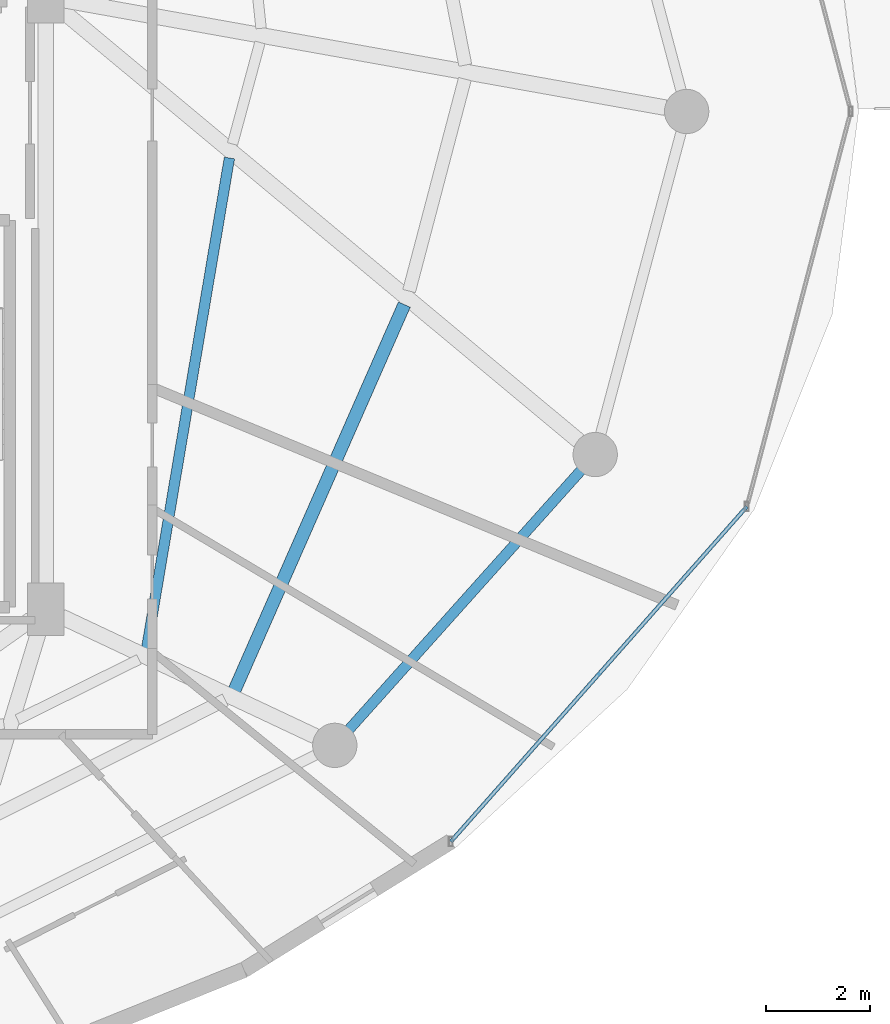
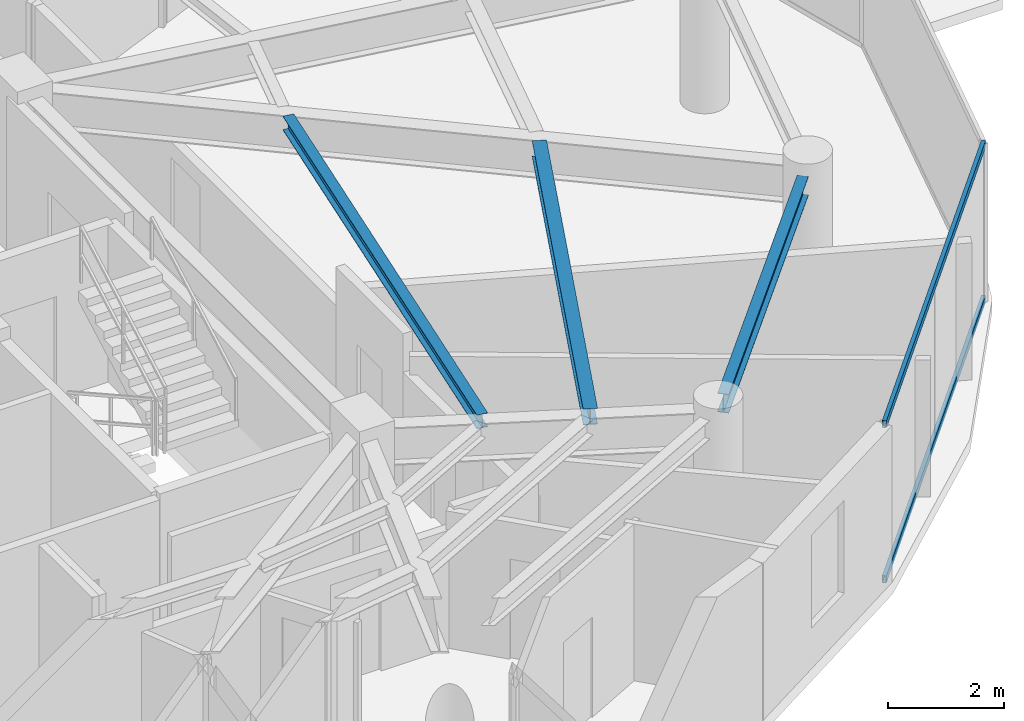
# One storey, part 13 of 31: 3 beams, 2 members, 1 element without a shape of its own.
"""IFC4 building model written with IfcOpenShell, lengths in metres."""

from ifc_helpers import new_model, si_unit, direction, frame, origin, origin_2d, place, context, subcontext, project, spatial, hollow_rectangle, i_section, extrude, material, material_profile, profile_set, type_object, element, aggregate, save


model = new_model("IFC4")

# Units and contexts
model_context = context("Model", 3, precision=1e-05, world=origin(), true_north=direction((0.0, 1.0)))
body_context = subcontext(model_context, "Body", "Model", "MODEL_VIEW")
ifc_project = project(units=[si_unit("LENGTHUNIT", "METRE"), si_unit("AREAUNIT", "SQUARE_METRE"), si_unit("VOLUMEUNIT", "CUBIC_METRE"), si_unit("PLANEANGLEUNIT", "RADIAN"), si_unit("MASSUNIT", "GRAM", prefix="KILO")], contexts=[model_context])

# Site, building, storey
site_placement = place(None, origin())
site = spatial("IfcSite", under=ifc_project, at=site_placement, CompositionType="ELEMENT")
building_placement = place(site_placement, origin())
building = spatial("IfcBuilding", under=site, at=building_placement, Name="Vorneva Point Tower", CompositionType="ELEMENT")
storey_placement = place(building_placement, frame((0.0, 0.0, 266.199951171875)))
storey = spatial("IfcBuildingStorey", under=building, at=storey_placement, Name="L72", CompositionType="ELEMENT", Elevation=266.199951171875)

# Beams
ifc_material_1 = material(Name="Steel S355", Category="steel")
ifc_material_profile_1 = material_profile(ifc_material_1, i_section(OverallWidth=0.199951171875, OverallDepth=0.291015625, WebThickness=0.008056640625, FlangeThickness=0.010986328125, at=origin_2d()), Name="30Sh1")
ifc_profile_set_1 = profile_set([ifc_material_profile_1], Name="Steel S355")
beam_type_1 = type_object("IfcBeamType", Name="BM-SEC-30Sh1", PredefinedType="BEAM", material=ifc_profile_set_1)
beam_1_placement = place(storey_placement, frame((50.686767578125, 15.68505859375, 3.14453125), z_axis=(0.166457815595, 0.986048576708, 0.0), x_axis=(-0.986048576708, 0.166457815595, 0.0)))
element("IfcBeam", 1, at=beam_1_placement, inside=storey, type_object=beam_type_1, Name="L72 Secondary Floor Beam 2.15", PredefinedType="BEAM", context=body_context, shape_type="SweptSolid", body=[
    extrude(i_section(OverallWidth=0.199951171875, OverallDepth=0.291015625, WebThickness=0.008056640625, FlangeThickness=0.010986328125, at=origin_2d()), origin(), (0.0, 0.0, 1.0), 9.555419921875),
])
ifc_material_profile_2 = material_profile(ifc_material_1, i_section(OverallWidth=0.2490234375, OverallDepth=0.333984375, WebThickness=0.008056640625, FlangeThickness=0.010986328125, at=origin_2d()), Name="35Sh1")
ifc_profile_set_2 = profile_set([ifc_material_profile_2], Name="Steel S355")
beam_type_2 = type_object("IfcBeamType", Name="BM-SEC-35Sh1", PredefinedType="BEAM", material=ifc_profile_set_2)
beam_2_placement = place(storey_placement, frame((52.37451171875, 14.896240234375, 3.123046875), z_axis=(0.40308772822, 0.915161342802, 0.0), x_axis=(-0.915161342802, 0.40308772822, 0.0)))
element("IfcBeam", 2, at=beam_2_placement, inside=storey, type_object=beam_type_2, Name="L72 Secondary Floor Beam 1.15", PredefinedType="BEAM", context=body_context, shape_type="SweptSolid", body=[
    extrude(i_section(OverallWidth=0.2490234375, OverallDepth=0.333984375, WebThickness=0.008056640625, FlangeThickness=0.010986328125, at=origin_2d()), origin(), (0.0, 0.0, 1.0), 8.08447265625),
])
ifc_material_profile_3 = material_profile(ifc_material_1, i_section(OverallWidth=0.198974609375, OverallDepth=0.39599609375, WebThickness=0.007080078125, FlangeThickness=0.010986328125, at=origin_2d()), Name="40B1")
ifc_profile_set_3 = profile_set([ifc_material_profile_3], Name="Steel S355")
beam_type_3 = type_object("IfcBeamType", Name="BM-SPN-40B1", PredefinedType="SPANDREL", material=ifc_profile_set_3)
beam_3_placement = place(storey_placement, frame((54.572265625, 14.143310546875, 3.092041015625), z_axis=(0.667108282638, 0.744960763554, 0.0), x_axis=(-0.744960763554, 0.667108282638, 0.0)))
element("IfcBeam", 3, at=beam_3_placement, inside=storey, type_object=beam_type_3, Name="L72 Perimeter Spandrel Ring Beam 15", PredefinedType="SPANDREL", context=body_context, shape_type="SweptSolid", body=[
    extrude(i_section(OverallWidth=0.198974609375, OverallDepth=0.39599609375, WebThickness=0.007080078125, FlangeThickness=0.010986328125, at=origin_2d()), origin(), (0.0, 0.0, 1.0), 6.670166015625),
])

# Curtain wall, members
ifc_material_2 = material(Name="Pale anodised aluminium", Category="aluminium")
curtain_wall_type = type_object("IfcCurtainWallType", Name="CW-RES-SYS", PredefinedType="NOTDEFINED", material=ifc_material_2)
curtain_wall_placement = place(storey_placement, origin())
curtain_wall = element("IfcCurtainWall", 4, at=curtain_wall_placement, inside=storey, type_object=curtain_wall_type, Name="L72 Unitised Curtain Wall CW-L72-R01", PredefinedType="NOTDEFINED")
ifc_material_profile_4 = material_profile(ifc_material_2, hollow_rectangle(XDim=0.074951171875, YDim=0.14990234375, WallThickness=0.00390625, at=origin_2d()), Name="AL-TRN 150x75x4")
ifc_profile_set_4 = profile_set([ifc_material_profile_4], Name="Pale anodised aluminium")
member_type = type_object("IfcMemberType", Name="CW-TRN-150", PredefinedType="USERDEFINED", material=ifc_profile_set_4)
member_1_placement = place(storey_placement, frame((56.526123046875, 11.9921875, 0.02001953125), z_axis=(0.662196681357, 0.74933007093, 0.0), x_axis=(-0.74933007093, 0.662196681357, 0.0)))
member_1 = element("IfcMember", 5, at=member_1_placement, type_object=member_type, Name="CW-L72-R01 Transom 01.1", ObjectType="TRANSOM", PredefinedType="USERDEFINED", context=body_context, shape_type="SweptSolid", body=[
    extrude(hollow_rectangle(XDim=0.074951171875, YDim=0.14990234375, WallThickness=0.00390625, at=origin_2d()), origin(), (0.0, 0.0, 1.0), 8.57666015625),
])
member_2_placement = place(storey_placement, frame((56.526123046875, 11.9921875, 3.27001953125), z_axis=(0.662196681357, 0.74933007093, 0.0), x_axis=(-0.74933007093, 0.662196681357, 0.0)))
member_2 = element("IfcMember", 6, at=member_2_placement, type_object=member_type, Name="CW-L72-R01 Transom 01.2", ObjectType="TRANSOM", PredefinedType="USERDEFINED", context=body_context, shape_type="SweptSolid", body=[
    extrude(hollow_rectangle(XDim=0.074951171875, YDim=0.14990234375, WallThickness=0.00390625, at=origin_2d()), origin(), (0.0, 0.0, 1.0), 8.57666015625),
])
aggregate(curtain_wall, [member_1, member_2])

save(model, "model.ifc")
